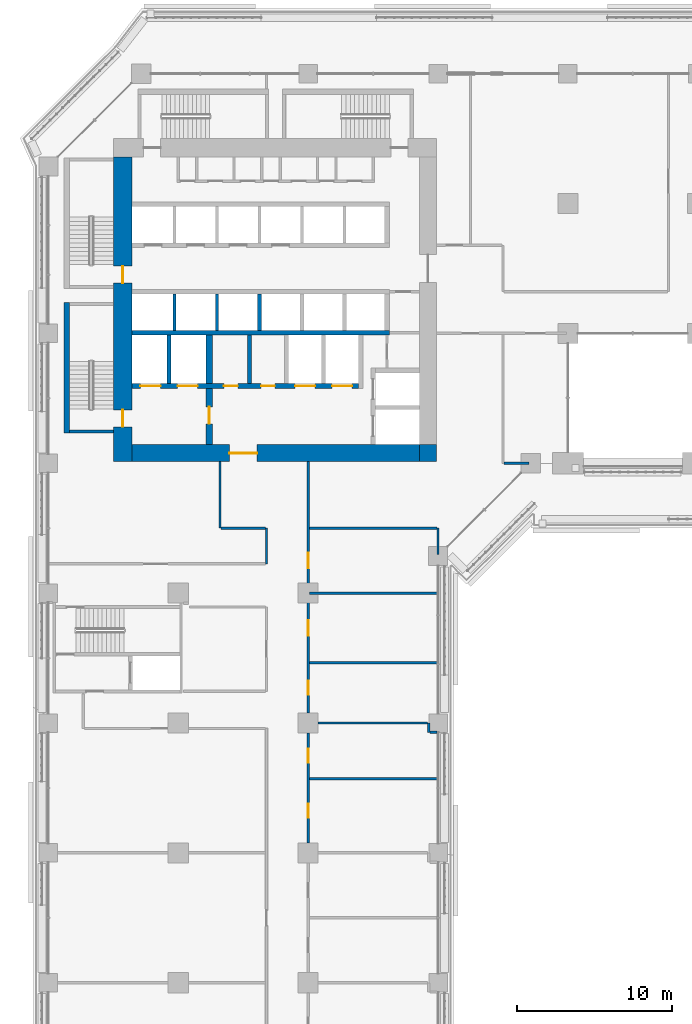
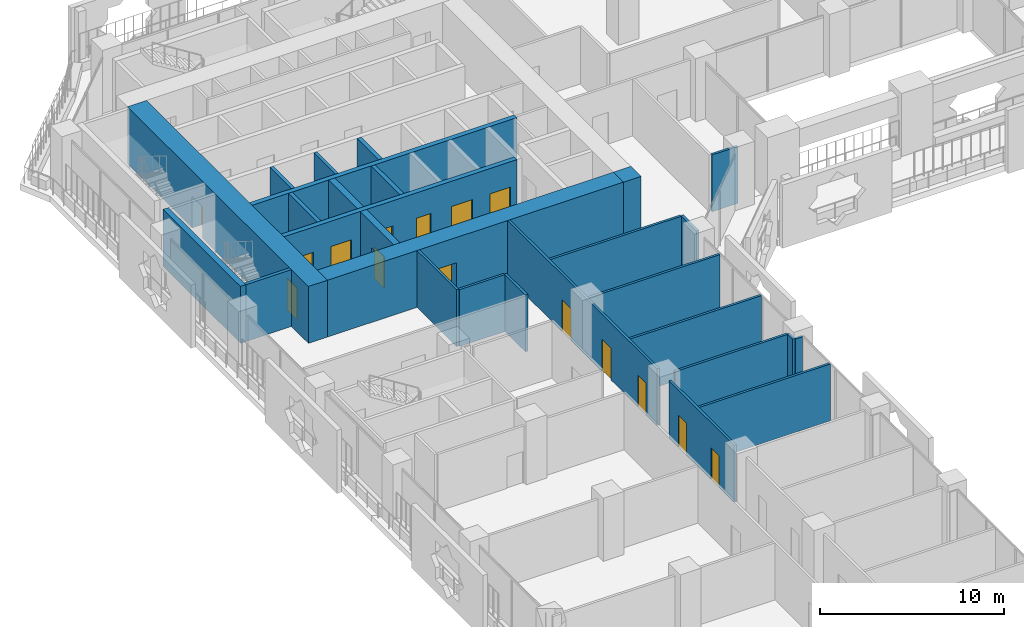
# One storey, part 14 of 28: 28 walls, 15 doors, 15 openings.
"""IFC4 building model written with IfcOpenShell, lengths in metres."""

from ifc_helpers import new_model, si_unit, direction, frame, frame_2d, origin, place, context, subcontext, project, spatial, rectangle, extrude, material, layer, layer_set, type_object, element, fill, save


model = new_model("IFC4")

# Units and contexts
model_context = context("Model", 3, precision=1e-05, world=origin(), true_north=direction((0.0, 1.0)))
body_context = subcontext(model_context, "Body", "Model", "MODEL_VIEW")
ifc_project = project(units=[si_unit("LENGTHUNIT", "METRE"), si_unit("AREAUNIT", "SQUARE_METRE"), si_unit("VOLUMEUNIT", "CUBIC_METRE"), si_unit("PLANEANGLEUNIT", "RADIAN"), si_unit("MASSUNIT", "GRAM", prefix="KILO")], contexts=[model_context])

# Site, building, storey
site_placement = place(None, origin())
site = spatial("IfcSite", under=ifc_project, at=site_placement, CompositionType="ELEMENT")
building_placement = place(site_placement, origin())
building = spatial("IfcBuilding", under=site, at=building_placement, Name="Kawkab Arch Medical Tower", CompositionType="ELEMENT")
storey_placement = place(building_placement, frame((0.0, 0.0, 47.60009765625)))
storey = spatial("IfcBuildingStorey", under=building, at=storey_placement, Name="L10", CompositionType="ELEMENT", Elevation=47.60009765625)

# Wall, opening, door
ifc_material_1 = material(Name="Concrete C60/75", Category="concrete")
ifc_layer_1 = layer(ifc_material_1, 1.10009765625)
ifc_layer_set_1 = layer_set([ifc_layer_1], Name="Concrete C60/75")
wall_type_1 = type_object("IfcWallType", Name="Core ring wall 1100 C60/75", PredefinedType="SHEAR", material=ifc_layer_set_1)
wall_1_placement = place(storey_placement, frame((5.39990234375, -24.550048828125, 0.0), z_axis=(0.0, 0.0, 1.0), x_axis=(1.0, 0.0, 0.0)))
wall_1 = element("IfcWall", 1, at=wall_1_placement, inside=storey, type_object=wall_type_1, Name="L10 core wall", PredefinedType="SHEAR", context=body_context, shape_type="SweptSolid", body=[
    extrude(rectangle(XDim=18.60009765625, YDim=1.10009765625, at=frame_2d((9.300048828125, 0.0))), origin(), (0.0, 0.0, 1.0), 3.77978515625),
])
opening_1_placement = place(wall_1_placement, frame((6.300048828125, 0.0, 0.0)))
opening_1 = element("IfcOpeningElement", 2, at=opening_1_placement, cuts=wall_1, Name="Opening PD", PredefinedType="OPENING", context=body_context, shape_type="SweptSolid", body=[
    extrude(rectangle(XDim=1.800048828125, YDim=2.10009765625, at=frame_2d((0.89990234375, 1.050048828125))), frame((0.0, 0.56005859375, 0.0), z_axis=(0.0, -1.0, 0.0), x_axis=(1.0, 0.0, 0.0)), (0.0, 0.0, 1.0), 1.1201171875),
])
ifc_material_2 = material(Name="Hollow metal fire door leaf")
door_type_1 = type_object("IfcDoorType", Name="Core entrance doors 1800", OperationType="DOUBLE_DOOR_SINGLE_SWING", PredefinedType="DOOR", material=ifc_material_2)
door_1_placement = place(opening_1_placement, origin())
door_1 = element("IfcDoor", 3, at=door_1_placement, inside=storey, type_object=door_type_1, Name="L10 South entrance doors", OperationType="DOUBLE_DOOR_SINGLE_SWING", OverallHeight=2.10009765625, OverallWidth=1.800048828125, PredefinedType="DOOR", context=body_context, shape_type="SweptSolid", body=[
    extrude(rectangle(XDim=1.800048828125, YDim=2.10009765625, at=frame_2d((0.89990234375, 1.050048828125))), frame((0.0, 0.02490234375, 0.0), z_axis=(0.0, -1.0, 0.0), x_axis=(1.0, 0.0, 0.0)), (0.0, 0.0, 1.0), 0.050048828125),
])
fill(opening_1, door_1)

# Wall
wall_2_placement = place(storey_placement, frame((24.550048828125, -25.10009765625, 0.0), z_axis=(0.0, 0.0, 1.0), x_axis=(0.0, 1.0, 0.0)))
element("IfcWall", 4, at=wall_2_placement, inside=storey, type_object=wall_type_1, Name="L10 core wall", PredefinedType="SHEAR", context=body_context, shape_type="SweptSolid", body=[
    extrude(rectangle(XDim=1.10009765625, YDim=1.10009765625, at=frame_2d((0.550048828125, 0.0))), origin(), (0.0, 0.0, 1.0), 3.77978515625),
])

# Wall, openings, doors
ifc_material_3 = material(Name="Concrete C60/75", Category="concrete")
ifc_layer_2 = layer(ifc_material_3, 1.199951171875)
ifc_layer_set_2 = layer_set([ifc_layer_2], Name="Concrete C60/75")
wall_type_2 = type_object("IfcWallType", Name="Core ring wall 1200 C60/75", PredefinedType="SHEAR", material=ifc_layer_set_2)
wall_3_placement = place(storey_placement, frame((4.800048828125, -25.10009765625, 0.0), z_axis=(0.0, 0.0, 1.0), x_axis=(0.0, 1.0, 0.0)))
wall_3 = element("IfcWall", 5, at=wall_3_placement, inside=storey, type_object=wall_type_2, Name="L10 core wall", PredefinedType="SHEAR", context=body_context, shape_type="SweptSolid", body=[
    extrude(rectangle(XDim=19.7001953125, YDim=1.199951171875, at=frame_2d((9.85009765625, 0.0))), origin(), (0.0, 0.0, 1.0), 3.77978515625),
])
opening_2_placement = place(wall_3_placement, frame((11.550048828125, 0.0, 0.0)))
opening_2 = element("IfcOpeningElement", 6, at=opening_2_placement, cuts=wall_3, Name="Opening SD", PredefinedType="OPENING", context=body_context, shape_type="SweptSolid", body=[
    extrude(rectangle(XDim=1.10009765625, YDim=2.10009765625, at=frame_2d((0.550048828125, 1.050048828125))), frame((0.0, 0.60986328125, 0.0), z_axis=(0.0, -1.0, 0.0), x_axis=(1.0, 0.0, 0.0)), (0.0, 0.0, 1.0), 1.219970703125),
])
opening_3_placement = place(wall_3_placement, frame((2.25, 0.0, 0.0)))
opening_3 = element("IfcOpeningElement", 7, at=opening_3_placement, cuts=wall_3, Name="Opening SD", PredefinedType="OPENING", context=body_context, shape_type="SweptSolid", body=[
    extrude(rectangle(XDim=1.10009765625, YDim=2.10009765625, at=frame_2d((0.550048828125, 1.050048828125))), frame((0.0, 0.60986328125, 0.0), z_axis=(0.0, -1.0, 0.0), x_axis=(1.0, 0.0, 0.0)), (0.0, 0.0, 1.0), 1.219970703125),
])
ifc_material_4 = material(Name="Hollow metal fire door leaf")
door_type_2 = type_object("IfcDoorType", Name="Exit stair door 1100", OperationType="SINGLE_SWING_LEFT", PredefinedType="DOOR", material=ifc_material_4)
door_2_placement = place(opening_2_placement, origin())
door_2 = element("IfcDoor", 8, at=door_2_placement, inside=storey, type_object=door_type_2, Name="L10 Exit stair ST1 door", OperationType="SINGLE_SWING_LEFT", OverallHeight=2.10009765625, OverallWidth=1.10009765625, PredefinedType="DOOR", context=body_context, shape_type="SweptSolid", body=[
    extrude(rectangle(XDim=1.10009765625, YDim=2.10009765625, at=frame_2d((0.550048828125, 1.050048828125))), frame((0.0, 0.02490234375, 0.0), z_axis=(0.0, -1.0, 0.0), x_axis=(1.0, 0.0, 0.0)), (0.0, 0.0, 1.0), 0.050048828125),
])
fill(opening_2, door_2)
door_3_placement = place(opening_3_placement, origin())
door_3 = element("IfcDoor", 9, at=door_3_placement, inside=storey, type_object=door_type_2, Name="L10 Exit stair ST2 door", OperationType="SINGLE_SWING_LEFT", OverallHeight=2.10009765625, OverallWidth=1.10009765625, PredefinedType="DOOR", context=body_context, shape_type="SweptSolid", body=[
    extrude(rectangle(XDim=1.10009765625, YDim=2.10009765625, at=frame_2d((0.550048828125, 1.050048828125))), frame((0.0, 0.02490234375, 0.0), z_axis=(0.0, -1.0, 0.0), x_axis=(1.0, 0.0, 0.0)), (0.0, 0.0, 1.0), 0.050048828125),
])
fill(opening_3, door_3)

# Walls
ifc_material_5 = material(Name="Concrete C60/75", Category="concrete")
ifc_layer_3 = layer(ifc_material_5, 0.25)
ifc_layer_set_3 = layer_set([ifc_layer_3], Name="Concrete C60/75")
wall_type_3 = type_object("IfcWallType", Name="Core shear wall 250 C60/75", PredefinedType="SHEAR", material=ifc_layer_set_3)
for number, where, z_axis, x_axis, name in (
    (10, (7.800048828125, -20.050048828125, 0.0), (0.0, 0.0, 1.0), (0.0, 1.0, 0.0), "L10 core shear wall"),
    (11, (13.0, -20.050048828125, 0.0), (0.0, 0.0, 1.0), (0.0, 1.0, 0.0), "L10 core shear wall"),
):
    element("IfcWall", number, at=place(storey_placement, frame(where, z_axis=z_axis, x_axis=x_axis)), inside=storey, type_object=wall_type_3, Name=name, PredefinedType="SHEAR", context=body_context, shape_type="SweptSolid", body=[
        extrude(rectangle(XDim=3.150146484375, YDim=0.25, at=frame_2d((1.5751953125, 0.0))), origin(), (0.0, 0.0, 1.0), 3.77978515625),
    ])
wall_4_placement = place(storey_placement, frame((13.64990234375, -16.60009765625, 0.0), z_axis=(0.0, 0.0, 1.0), x_axis=(0.0, 1.0, 0.0)))
element("IfcWall", 12, at=wall_4_placement, inside=storey, type_object=wall_type_3, Name="L10 core shear wall", PredefinedType="SHEAR", context=body_context, shape_type="SweptSolid", body=[
    extrude(rectangle(XDim=2.35009765625, YDim=0.25, at=frame_2d((1.175048828125, 0.0))), origin(), (0.0, 0.0, 1.0), 3.77978515625),
])
ifc_material_6 = material(Name="Concrete C60/75", Category="concrete")
ifc_layer_4 = layer(ifc_material_6, 0.300048828125)
ifc_layer_set_4 = layer_set([ifc_layer_4], Name="Concrete C60/75")
wall_type_4 = type_object("IfcWallType", Name="Core shear wall 300 C60/75", PredefinedType="SHEAR", material=ifc_layer_set_4)
wall_5_placement = place(storey_placement, frame((5.39990234375, -16.75, 0.0), z_axis=(0.0, 0.0, 1.0), x_axis=(1.0, 0.0, 0.0)))
element("IfcWall", 13, at=wall_5_placement, inside=storey, type_object=wall_type_4, Name="L10 core shear wall", PredefinedType="SHEAR", context=body_context, shape_type="SweptSolid", body=[
    extrude(rectangle(XDim=16.650146484375, YDim=0.300048828125, at=frame_2d((8.3251953125, 0.0))), origin(), (0.0, 0.0, 1.0), 3.77978515625),
])

# Wall, openings, doors
wall_6_placement = place(storey_placement, frame((5.39990234375, -20.199951171875, 0.0), z_axis=(0.0, 0.0, 1.0), x_axis=(1.0, 0.0, 0.0)))
wall_6 = element("IfcWall", 14, at=wall_6_placement, inside=storey, type_object=wall_type_4, Name="L10 core shear wall", PredefinedType="SHEAR", context=body_context, shape_type="SweptSolid", body=[
    extrude(rectangle(XDim=14.650146484375, YDim=0.300048828125, at=frame_2d((7.3251953125, 0.0))), origin(), (0.0, 0.0, 1.0), 3.77978515625),
])
opening_4_placement = place(wall_6_placement, frame((10.550048828125, 0.0, 0.0)))
opening_4 = element("IfcOpeningElement", 15, at=opening_4_placement, cuts=wall_6, Name="Opening LD2", PredefinedType="OPENING", context=body_context, shape_type="SweptSolid", body=[
    extrude(rectangle(XDim=1.300048828125, YDim=2.10009765625, at=frame_2d((0.64990234375, 1.050048828125))), frame((0.0, 0.159912109375, 0.0), z_axis=(0.0, -1.0, 0.0), x_axis=(1.0, 0.0, 0.0)), (0.0, 0.0, 1.0), 0.320068359375),
])
opening_5_placement = place(wall_6_placement, frame((12.949951171875, 0.0, 0.0)))
opening_5 = element("IfcOpeningElement", 16, at=opening_5_placement, cuts=wall_6, Name="Opening LD2", PredefinedType="OPENING", context=body_context, shape_type="SweptSolid", body=[
    extrude(rectangle(XDim=1.300048828125, YDim=2.10009765625, at=frame_2d((0.64990234375, 1.050048828125))), frame((0.0, 0.159912109375, 0.0), z_axis=(0.0, -1.0, 0.0), x_axis=(1.0, 0.0, 0.0)), (0.0, 0.0, 1.0), 0.320068359375),
])
opening_6_placement = place(wall_6_placement, frame((0.550048828125, 0.0, 0.0)))
opening_6 = element("IfcOpeningElement", 17, at=opening_6_placement, cuts=wall_6, Name="Opening LD2", PredefinedType="OPENING", context=body_context, shape_type="SweptSolid", body=[
    extrude(rectangle(XDim=1.300048828125, YDim=2.10009765625, at=frame_2d((0.64990234375, 1.050048828125))), frame((0.0, 0.159912109375, 0.0), z_axis=(0.0, -1.0, 0.0), x_axis=(1.0, 0.0, 0.0)), (0.0, 0.0, 1.0), 0.320068359375),
])
opening_7_placement = place(wall_6_placement, frame((2.949951171875, 0.0, 0.0)))
opening_7 = element("IfcOpeningElement", 18, at=opening_7_placement, cuts=wall_6, Name="Opening LD2", PredefinedType="OPENING", context=body_context, shape_type="SweptSolid", body=[
    extrude(rectangle(XDim=1.300048828125, YDim=2.10009765625, at=frame_2d((0.64990234375, 1.050048828125))), frame((0.0, 0.159912109375, 0.0), z_axis=(0.0, -1.0, 0.0), x_axis=(1.0, 0.0, 0.0)), (0.0, 0.0, 1.0), 0.320068359375),
])
opening_8_placement = place(wall_6_placement, frame((5.949951171875, 0.0, 0.0)))
opening_8 = element("IfcOpeningElement", 19, at=opening_8_placement, cuts=wall_6, Name="Opening RD", PredefinedType="OPENING", context=body_context, shape_type="SweptSolid", body=[
    extrude(rectangle(XDim=0.89990234375, YDim=2.10009765625, at=frame_2d((0.449951171875, 1.050048828125))), frame((0.0, 0.159912109375, 0.0), z_axis=(0.0, -1.0, 0.0), x_axis=(1.0, 0.0, 0.0)), (0.0, 0.0, 1.0), 0.320068359375),
])
opening_9_placement = place(wall_6_placement, frame((8.35009765625, 0.0, 0.0)))
opening_9 = element("IfcOpeningElement", 20, at=opening_9_placement, cuts=wall_6, Name="Opening RD", PredefinedType="OPENING", context=body_context, shape_type="SweptSolid", body=[
    extrude(rectangle(XDim=0.89990234375, YDim=2.10009765625, at=frame_2d((0.449951171875, 1.050048828125))), frame((0.0, 0.159912109375, 0.0), z_axis=(0.0, -1.0, 0.0), x_axis=(1.0, 0.0, 0.0)), (0.0, 0.0, 1.0), 0.320068359375),
])
ifc_material_7 = material(Name="Hollow metal fire door leaf")
door_type_3 = type_object("IfcDoorType", Name="Core room door 900", OperationType="SINGLE_SWING_LEFT", PredefinedType="DOOR", material=ifc_material_7)
door_4_placement = place(opening_8_placement, origin())
door_4 = element("IfcDoor", 21, at=door_4_placement, inside=storey, type_object=door_type_3, Name="L10 Clean utility room door", OperationType="SINGLE_SWING_LEFT", OverallHeight=2.10009765625, OverallWidth=0.89990234375, PredefinedType="DOOR", context=body_context, shape_type="SweptSolid", body=[
    extrude(rectangle(XDim=0.89990234375, YDim=2.10009765625, at=frame_2d((0.449951171875, 1.050048828125))), frame((0.0, 0.02490234375, 0.0), z_axis=(0.0, -1.0, 0.0), x_axis=(1.0, 0.0, 0.0)), (0.0, 0.0, 1.0), 0.050048828125),
])
fill(opening_8, door_4)
door_5_placement = place(opening_9_placement, origin())
door_5 = element("IfcDoor", 22, at=door_5_placement, inside=storey, type_object=door_type_3, Name="L10 Dirty utility room door", OperationType="SINGLE_SWING_LEFT", OverallHeight=2.10009765625, OverallWidth=0.89990234375, PredefinedType="DOOR", context=body_context, shape_type="SweptSolid", body=[
    extrude(rectangle(XDim=0.89990234375, YDim=2.10009765625, at=frame_2d((0.449951171875, 1.050048828125))), frame((0.0, 0.02490234375, 0.0), z_axis=(0.0, -1.0, 0.0), x_axis=(1.0, 0.0, 0.0)), (0.0, 0.0, 1.0), 0.050048828125),
])
fill(opening_9, door_5)
ifc_material_8 = material(Name="Stainless steel lift door leaf", Category="steel")
door_type_4 = type_object("IfcDoorType", Name="Lift landing door 1300", OperationType="DOUBLE_DOOR_SLIDING", PredefinedType="DOOR", material=ifc_material_8)
door_6_placement = place(opening_4_placement, origin())
door_6 = element("IfcDoor", 23, at=door_6_placement, inside=storey, type_object=door_type_4, Name="L10 Lift landing door BD3", OperationType="DOUBLE_DOOR_SLIDING", OverallHeight=2.10009765625, OverallWidth=1.300048828125, PredefinedType="DOOR", context=body_context, shape_type="SweptSolid", body=[
    extrude(rectangle(XDim=1.300048828125, YDim=2.10009765625, at=frame_2d((0.64990234375, 1.050048828125))), frame((0.0, 0.02490234375, 0.0), z_axis=(0.0, -1.0, 0.0), x_axis=(1.0, 0.0, 0.0)), (0.0, 0.0, 1.0), 0.050048828125),
])
fill(opening_4, door_6)
door_7_placement = place(opening_5_placement, origin())
door_7 = element("IfcDoor", 24, at=door_7_placement, inside=storey, type_object=door_type_4, Name="L10 Lift landing door BD4", OperationType="DOUBLE_DOOR_SLIDING", OverallHeight=2.10009765625, OverallWidth=1.300048828125, PredefinedType="DOOR", context=body_context, shape_type="SweptSolid", body=[
    extrude(rectangle(XDim=1.300048828125, YDim=2.10009765625, at=frame_2d((0.64990234375, 1.050048828125))), frame((0.0, 0.02490234375, 0.0), z_axis=(0.0, -1.0, 0.0), x_axis=(1.0, 0.0, 0.0)), (0.0, 0.0, 1.0), 0.050048828125),
])
fill(opening_5, door_7)
door_8_placement = place(opening_6_placement, origin())
door_8 = element("IfcDoor", 25, at=door_8_placement, inside=storey, type_object=door_type_4, Name="L10 Lift landing door FL1", OperationType="DOUBLE_DOOR_SLIDING", OverallHeight=2.10009765625, OverallWidth=1.300048828125, PredefinedType="DOOR", context=body_context, shape_type="SweptSolid", body=[
    extrude(rectangle(XDim=1.300048828125, YDim=2.10009765625, at=frame_2d((0.64990234375, 1.050048828125))), frame((0.0, 0.02490234375, 0.0), z_axis=(0.0, -1.0, 0.0), x_axis=(1.0, 0.0, 0.0)), (0.0, 0.0, 1.0), 0.050048828125),
])
fill(opening_6, door_8)
door_9_placement = place(opening_7_placement, origin())
door_9 = element("IfcDoor", 26, at=door_9_placement, inside=storey, type_object=door_type_4, Name="L10 Lift landing door FL2", OperationType="DOUBLE_DOOR_SLIDING", OverallHeight=2.10009765625, OverallWidth=1.300048828125, PredefinedType="DOOR", context=body_context, shape_type="SweptSolid", body=[
    extrude(rectangle(XDim=1.300048828125, YDim=2.10009765625, at=frame_2d((0.64990234375, 1.050048828125))), frame((0.0, 0.02490234375, 0.0), z_axis=(0.0, -1.0, 0.0), x_axis=(1.0, 0.0, 0.0)), (0.0, 0.0, 1.0), 0.050048828125),
])
fill(opening_7, door_9)

# Wall, opening, door
ifc_material_9 = material(Name="Concrete C60/75", Category="concrete")
ifc_layer_5 = layer(ifc_material_9, 0.39990234375)
ifc_layer_set_5 = layer_set([ifc_layer_5], Name="Concrete C60/75")
wall_type_5 = type_object("IfcWallType", Name="Core shear wall 400 C60/75", PredefinedType="SHEAR", material=ifc_layer_set_5)
wall_7_placement = place(storey_placement, frame((10.39990234375, -24.0, 0.0), z_axis=(0.0, 0.0, 1.0), x_axis=(0.0, 1.0, 0.0)))
wall_7 = element("IfcWall", 27, at=wall_7_placement, inside=storey, type_object=wall_type_5, Name="L10 core shear wall", PredefinedType="SHEAR", context=body_context, shape_type="SweptSolid", body=[
    extrude(rectangle(XDim=3.64990234375, YDim=0.39990234375, at=frame_2d((1.824951171875, 0.0))), origin(), (0.0, 0.0, 1.0), 3.77978515625),
])
opening_10_placement = place(wall_7_placement, frame((1.35009765625, 0.0, 0.0)))
opening_10 = element("IfcOpeningElement", 28, at=opening_10_placement, cuts=wall_7, Name="Opening FD", PredefinedType="OPENING", context=body_context, shape_type="SweptSolid", body=[
    extrude(rectangle(XDim=1.10009765625, YDim=2.10009765625, at=frame_2d((0.550048828125, 1.050048828125))), frame((0.0, 0.2099609375, 0.0), z_axis=(0.0, -1.0, 0.0), x_axis=(1.0, 0.0, 0.0)), (0.0, 0.0, 1.0), 0.419921875),
])
ifc_material_10 = material(Name="Hollow metal fire door leaf")
door_type_5 = type_object("IfcDoorType", Name="Firefighting lobby door 1100", OperationType="SINGLE_SWING_LEFT", PredefinedType="DOOR", material=ifc_material_10)
door_10_placement = place(opening_10_placement, origin())
door_10 = element("IfcDoor", 29, at=door_10_placement, inside=storey, type_object=door_type_5, Name="L10 Firefighting lobby door", OperationType="SINGLE_SWING_LEFT", OverallHeight=2.10009765625, OverallWidth=1.10009765625, PredefinedType="DOOR", context=body_context, shape_type="SweptSolid", body=[
    extrude(rectangle(XDim=1.10009765625, YDim=2.10009765625, at=frame_2d((0.550048828125, 1.050048828125))), frame((0.0, 0.02490234375, 0.0), z_axis=(0.0, -1.0, 0.0), x_axis=(1.0, 0.0, 0.0)), (0.0, 0.0, 1.0), 0.050048828125),
])
fill(opening_10, door_10)

# Walls
wall_8_placement = place(storey_placement, frame((10.39990234375, -20.050048828125, 0.0), z_axis=(0.0, 0.0, 1.0), x_axis=(0.0, 1.0, 0.0)))
element("IfcWall", 30, at=wall_8_placement, inside=storey, type_object=wall_type_5, Name="L10 core shear wall", PredefinedType="SHEAR", context=body_context, shape_type="SweptSolid", body=[
    extrude(rectangle(XDim=3.150146484375, YDim=0.39990234375, at=frame_2d((1.5751953125, 0.0))), origin(), (0.0, 0.0, 1.0), 3.77978515625),
])
ifc_material_11 = material(Name="Dense concrete blockwork", Category="masonry")
ifc_layer_6 = layer(ifc_material_11, 0.199951171875)
ifc_layer_set_6 = layer_set([ifc_layer_6], Name="Dense concrete blockwork")
wall_type_6 = type_object("IfcWallType", Name="Lift shaft partition 200", PredefinedType="PARTITIONING", material=ifc_layer_set_6)
for number, where, z_axis, x_axis, name in (
    (31, (8.14990234375, -16.60009765625, 0.0), (0.0, 0.0, 1.0), (0.0, 1.0, 0.0), "L10 lift shaft partition"),
    (32, (10.89990234375, -16.60009765625, 0.0), (0.0, 0.0, 1.0), (0.0, 1.0, 0.0), "L10 lift shaft partition"),
):
    element("IfcWall", number, at=place(storey_placement, frame(where, z_axis=z_axis, x_axis=x_axis)), inside=storey, type_object=wall_type_6, Name=name, PredefinedType="PARTITIONING", context=body_context, shape_type="SweptSolid", body=[
        extrude(rectangle(XDim=2.35009765625, YDim=0.199951171875, at=frame_2d((1.175048828125, 0.0))), origin(), (0.0, 0.0, 1.0), 3.77978515625),
    ])
ifc_material_12 = material(Name="Gypsum board partition on steel studs, mineral wool", Category="steel")
ifc_layer_7 = layer(ifc_material_12, 0.14990234375)
ifc_layer_set_7 = layer_set([ifc_layer_7], Name="Gypsum board partition on steel studs, mineral wool")
wall_type_7 = type_object("IfcWallType", Name="Partition 150", PredefinedType="PARTITIONING", material=ifc_layer_set_7)
wall_9_placement = place(storey_placement, frame((16.875, -45.60009765625, 0.0), z_axis=(0.0, 0.0, 1.0), x_axis=(1.0, 0.0, 0.0)))
element("IfcWall", 33, at=wall_9_placement, inside=storey, type_object=wall_type_7, Name="Partition 150 w011", PredefinedType="PARTITIONING", context=body_context, shape_type="SweptSolid", body=[
    extrude(rectangle(XDim=8.2451171875, YDim=0.14990234375, at=frame_2d((4.12255859375, 0.0))), origin(), (0.0, 0.0, 1.0), 3.77978515625),
])
wall_10_placement = place(storey_placement, frame((24.675048828125, -42.60009765625, 0.0), z_axis=(0.0, 0.0, 1.0), x_axis=(1.0, 0.0, 0.0)))
element("IfcWall", 34, at=wall_10_placement, inside=storey, type_object=wall_type_7, Name="Partition 150 w012", PredefinedType="PARTITIONING", context=body_context, shape_type="SweptSolid", body=[
    extrude(rectangle(XDim=0.445068359375, YDim=0.14990234375, at=frame_2d((0.22265625, 0.0))), origin(), (0.0, 0.0, 1.0), 3.77978515625),
])
wall_11_placement = place(storey_placement, frame((17.451904296875, -42.0, 0.0), z_axis=(0.0, 0.0, 1.0), x_axis=(1.0, 0.0, 0.0)))
element("IfcWall", 35, at=wall_11_placement, inside=storey, type_object=wall_type_7, Name="Partition 150 w014", PredefinedType="PARTITIONING", context=body_context, shape_type="SweptSolid", body=[
    extrude(rectangle(XDim=7.071044921875, YDim=0.14990234375, at=frame_2d((3.53564453125, 0.0))), origin(), (0.0, 0.0, 1.0), 3.77978515625),
])
for number, where, z_axis, x_axis, name in (
    (36, (16.875, -38.10009765625, 0.0), (0.0, 0.0, 1.0), (1.0, 0.0, 0.0), "Partition 150 w016"),
    (37, (16.875, -33.60009765625, 0.0), (0.0, 0.0, 1.0), (1.0, 0.0, 0.0), "Partition 150 w020"),
):
    element("IfcWall", number, at=place(storey_placement, frame(where, z_axis=z_axis, x_axis=x_axis)), inside=storey, type_object=wall_type_7, Name=name, PredefinedType="PARTITIONING", context=body_context, shape_type="SweptSolid", body=[
        extrude(rectangle(XDim=8.2451171875, YDim=0.14990234375, at=frame_2d((4.12255859375, 0.0))), origin(), (0.0, 0.0, 1.0), 3.77978515625),
    ])
wall_12_placement = place(storey_placement, frame((11.177001953125, -29.39990234375, 0.0), z_axis=(0.0, 0.0, 1.0), x_axis=(1.0, 0.0, 0.0)))
element("IfcWall", 38, at=wall_12_placement, inside=storey, type_object=wall_type_7, Name="Partition 150 w022", PredefinedType="PARTITIONING", context=body_context, shape_type="SweptSolid", body=[
    extrude(rectangle(XDim=2.847900390625, YDim=0.14990234375, at=frame_2d((1.423828125, 0.0))), origin(), (0.0, 0.0, 1.0), 3.77978515625),
])
wall_13_placement = place(storey_placement, frame((16.875, -29.39990234375, 0.0), z_axis=(0.0, 0.0, 1.0), x_axis=(1.0, 0.0, 0.0)))
element("IfcWall", 39, at=wall_13_placement, inside=storey, type_object=wall_type_7, Name="Partition 150 w023", PredefinedType="PARTITIONING", context=body_context, shape_type="SweptSolid", body=[
    extrude(rectangle(XDim=8.25, YDim=0.14990234375, at=frame_2d((4.125, 0.0))), origin(), (0.0, 0.0, 1.0), 3.77978515625),
])
wall_14_placement = place(storey_placement, frame((29.47509765625, -25.199951171875, 0.0), z_axis=(0.0, 0.0, 1.0), x_axis=(1.0, 0.0, 0.0)))
element("IfcWall", 40, at=wall_14_placement, inside=storey, type_object=wall_type_7, Name="Partition 150 w024", PredefinedType="PARTITIONING", context=body_context, shape_type="SweptSolid", body=[
    extrude(rectangle(XDim=1.61181640625, YDim=0.14990234375, at=frame_2d((0.805908203125, 0.0))), origin(), (0.0, 0.0, 1.0), 3.77978515625),
])
wall_15_placement = place(storey_placement, frame((11.10009765625, -29.39892578125, 0.0), z_axis=(0.0, 0.0, 1.0), x_axis=(0.0, 1.0, 0.0)))
element("IfcWall", 41, at=wall_15_placement, inside=storey, type_object=wall_type_7, Name="Partition 150 w034", PredefinedType="PARTITIONING", context=body_context, shape_type="SweptSolid", body=[
    extrude(rectangle(XDim=4.298828125, YDim=0.14990234375, at=frame_2d((2.1494140625, 0.0))), origin(), (0.0, 0.0, 1.0), 3.77978515625),
])
wall_16_placement = place(storey_placement, frame((14.10009765625, -31.70703125, 0.0), z_axis=(0.0, 0.0, 1.0), x_axis=(0.0, 1.0, 0.0)))
element("IfcWall", 42, at=wall_16_placement, inside=storey, type_object=wall_type_7, Name="Partition 150 w037", PredefinedType="PARTITIONING", context=body_context, shape_type="SweptSolid", body=[
    extrude(rectangle(XDim=2.30712890625, YDim=0.14990234375, at=frame_2d((1.153564453125, 0.0))), origin(), (0.0, 0.0, 1.0), 3.77978515625),
])

# Wall, openings, doors
wall_17_placement = place(storey_placement, frame((16.800048828125, -49.75, 0.0), z_axis=(0.0, 0.0, 1.0), x_axis=(0.0, 1.0, 0.0)))
wall_17 = element("IfcWall", 43, at=wall_17_placement, inside=storey, type_object=wall_type_7, Name="Partition 150 w042", PredefinedType="PARTITIONING", context=body_context, shape_type="SweptSolid", body=[
    extrude(rectangle(XDim=7.10009765625, YDim=0.14990234375, at=frame_2d((3.550048828125, 0.0))), origin(), (0.0, 0.0, 1.0), 3.77978515625),
])
opening_11_placement = place(wall_17_placement, frame((5.175048828125, 0.0, 0.0)))
opening_11 = element("IfcOpeningElement", 44, at=opening_11_placement, cuts=wall_17, Name="Opening B10-004", PredefinedType="OPENING", context=body_context, shape_type="SweptSolid", body=[
    extrude(rectangle(XDim=0.89990234375, YDim=2.10009765625, at=frame_2d((0.449951171875, 1.050048828125))), frame((0.0, 0.0849609375, 0.0), z_axis=(0.0, -1.0, 0.0), x_axis=(1.0, 0.0, 0.0)), (0.0, 0.0, 1.0), 0.169921875),
])
opening_12_placement = place(wall_17_placement, frame((1.625, 0.0, 0.0)))
opening_12 = element("IfcOpeningElement", 45, at=opening_12_placement, cuts=wall_17, Name="Opening B10-005", PredefinedType="OPENING", context=body_context, shape_type="SweptSolid", body=[
    extrude(rectangle(XDim=0.89990234375, YDim=2.10009765625, at=frame_2d((0.449951171875, 1.050048828125))), frame((0.0, 0.0849609375, 0.0), z_axis=(0.0, -1.0, 0.0), x_axis=(1.0, 0.0, 0.0)), (0.0, 0.0, 1.0), 0.169921875),
])
ifc_material_13 = material(Name="Timber door leaf", Category="wood")
door_type_6 = type_object("IfcDoorType", Name="Single door 900x2100", OperationType="NOTDEFINED", PredefinedType="DOOR", material=ifc_material_13)
door_11_placement = place(opening_11_placement, origin())
door_11 = element("IfcDoor", 46, at=door_11_placement, inside=storey, type_object=door_type_6, Name="Door B10-004", OperationType="SINGLE_SWING_LEFT", OverallHeight=2.10009765625, OverallWidth=0.89990234375, PredefinedType="DOOR", context=body_context, shape_type="SweptSolid", body=[
    extrude(rectangle(XDim=0.89990234375, YDim=2.10009765625, at=frame_2d((0.449951171875, 1.050048828125))), frame((0.0, 0.02490234375, 0.0), z_axis=(0.0, -1.0, 0.0), x_axis=(1.0, 0.0, 0.0)), (0.0, 0.0, 1.0), 0.050048828125),
])
fill(opening_11, door_11)
door_12_placement = place(opening_12_placement, origin())
door_12 = element("IfcDoor", 47, at=door_12_placement, inside=storey, type_object=door_type_6, Name="Door B10-005", OperationType="SINGLE_SWING_RIGHT", OverallHeight=2.10009765625, OverallWidth=0.89990234375, PredefinedType="DOOR", context=body_context, shape_type="SweptSolid", body=[
    extrude(rectangle(XDim=0.89990234375, YDim=2.10009765625, at=frame_2d((0.449951171875, 1.050048828125))), frame((0.0, 0.02490234375, 0.0), z_axis=(0.0, -1.0, 0.0), x_axis=(1.0, 0.0, 0.0)), (0.0, 0.0, 1.0), 0.050048828125),
])
fill(opening_12, door_12)

wall_18_placement = place(storey_placement, frame((16.800048828125, -41.35009765625, 0.0), z_axis=(0.0, 0.0, 1.0), x_axis=(0.0, 1.0, 0.0)))
wall_18 = element("IfcWall", 48, at=wall_18_placement, inside=storey, type_object=wall_type_7, Name="Partition 150 w043", PredefinedType="PARTITIONING", context=body_context, shape_type="SweptSolid", body=[
    extrude(rectangle(XDim=16.25, YDim=0.14990234375, at=frame_2d((8.125, 0.0))), origin(), (0.0, 0.0, 1.0), 3.77978515625),
])
opening_13_placement = place(wall_18_placement, frame((9.35009765625, 0.0, 0.0)))
opening_13 = element("IfcOpeningElement", 49, at=opening_13_placement, cuts=wall_18, Name="Opening B10-026", PredefinedType="OPENING", context=body_context, shape_type="SweptSolid", body=[
    extrude(rectangle(XDim=1.0, YDim=2.10009765625, at=frame_2d((0.5, 1.050048828125))), frame((0.0, 0.0849609375, 0.0), z_axis=(0.0, -1.0, 0.0), x_axis=(1.0, 0.0, 0.0)), (0.0, 0.0, 1.0), 0.169921875),
])
opening_14_placement = place(wall_18_placement, frame((5.0, 0.0, 0.0)))
opening_14 = element("IfcOpeningElement", 50, at=opening_14_placement, cuts=wall_18, Name="Opening B10-027", PredefinedType="OPENING", context=body_context, shape_type="SweptSolid", body=[
    extrude(rectangle(XDim=1.0, YDim=2.10009765625, at=frame_2d((0.5, 1.050048828125))), frame((0.0, 0.0849609375, 0.0), z_axis=(0.0, -1.0, 0.0), x_axis=(1.0, 0.0, 0.0)), (0.0, 0.0, 1.0), 0.169921875),
])
opening_15_placement = place(wall_18_placement, frame((1.175048828125, 0.0, 0.0)))
opening_15 = element("IfcOpeningElement", 51, at=opening_15_placement, cuts=wall_18, Name="Opening B10-003", PredefinedType="OPENING", context=body_context, shape_type="SweptSolid", body=[
    extrude(rectangle(XDim=0.89990234375, YDim=2.10009765625, at=frame_2d((0.449951171875, 1.050048828125))), frame((0.0, 0.0849609375, 0.0), z_axis=(0.0, -1.0, 0.0), x_axis=(1.0, 0.0, 0.0)), (0.0, 0.0, 1.0), 0.169921875),
])
ifc_material_14 = material(Name="Hollow metal door leaf")
door_type_7 = type_object("IfcDoorType", Name="Single door 1000x2100 FD30S", OperationType="NOTDEFINED", PredefinedType="DOOR", material=ifc_material_14)
door_13_placement = place(opening_13_placement, origin())
door_13 = element("IfcDoor", 52, at=door_13_placement, inside=storey, type_object=door_type_7, Name="Door B10-026", OperationType="SINGLE_SWING_LEFT", OverallHeight=2.10009765625, OverallWidth=1.0, PredefinedType="DOOR", context=body_context, shape_type="SweptSolid", body=[
    extrude(rectangle(XDim=1.0, YDim=2.10009765625, at=frame_2d((0.5, 1.050048828125))), frame((0.0, 0.02490234375, 0.0), z_axis=(0.0, -1.0, 0.0), x_axis=(1.0, 0.0, 0.0)), (0.0, 0.0, 1.0), 0.050048828125),
])
fill(opening_13, door_13)
door_14_placement = place(opening_14_placement, origin())
door_14 = element("IfcDoor", 53, at=door_14_placement, inside=storey, type_object=door_type_7, Name="Door B10-027", OperationType="SINGLE_SWING_RIGHT", OverallHeight=2.10009765625, OverallWidth=1.0, PredefinedType="DOOR", context=body_context, shape_type="SweptSolid", body=[
    extrude(rectangle(XDim=1.0, YDim=2.10009765625, at=frame_2d((0.5, 1.050048828125))), frame((0.0, 0.02490234375, 0.0), z_axis=(0.0, -1.0, 0.0), x_axis=(1.0, 0.0, 0.0)), (0.0, 0.0, 1.0), 0.050048828125),
])
fill(opening_14, door_14)
door_15_placement = place(opening_15_placement, origin())
door_15 = element("IfcDoor", 54, at=door_15_placement, inside=storey, type_object=door_type_6, Name="Door B10-003", OperationType="SINGLE_SWING_RIGHT", OverallHeight=2.10009765625, OverallWidth=0.89990234375, PredefinedType="DOOR", context=body_context, shape_type="SweptSolid", body=[
    extrude(rectangle(XDim=0.89990234375, YDim=2.10009765625, at=frame_2d((0.449951171875, 1.050048828125))), frame((0.0, 0.02490234375, 0.0), z_axis=(0.0, -1.0, 0.0), x_axis=(1.0, 0.0, 0.0)), (0.0, 0.0, 1.0), 0.050048828125),
])
fill(opening_15, door_15)

# Walls
wall_19_placement = place(storey_placement, frame((24.60009765625, -42.60009765625, 0.0), z_axis=(0.0, 0.0, 1.0), x_axis=(0.0, 1.0, 0.0)))
element("IfcWall", 55, at=wall_19_placement, inside=storey, type_object=wall_type_7, Name="Partition 150 w046", PredefinedType="PARTITIONING", context=body_context, shape_type="SweptSolid", body=[
    extrude(rectangle(XDim=0.59814453125, YDim=0.14990234375, at=frame_2d((0.299072265625, 0.0))), origin(), (0.0, 0.0, 1.0), 3.77978515625),
])
wall_20_placement = place(storey_placement, frame((25.199951171875, -31.0869140625, 0.0), z_axis=(0.0, 0.0, 1.0), x_axis=(0.0, 1.0, 0.0)))
element("IfcWall", 56, at=wall_20_placement, inside=storey, type_object=wall_type_7, Name="Partition 150 w047", PredefinedType="PARTITIONING", context=body_context, shape_type="SweptSolid", body=[
    extrude(rectangle(XDim=1.68701171875, YDim=0.14990234375, at=frame_2d((0.843505859375, 0.0))), origin(), (0.0, 0.0, 1.0), 3.77978515625),
])
ifc_material_15 = material(Name="Concrete C50/60", Category="concrete")
ifc_layer_8 = layer(ifc_material_15, 0.199951171875)
ifc_layer_set_8 = layer_set([ifc_layer_8], Name="Concrete C50/60")
wall_type_8 = type_object("IfcWallType", Name="Stair enclosure wall 200 C50/60", PredefinedType="SHEAR", material=ifc_layer_set_8)
wall_21_placement = place(storey_placement, frame((1.35009765625, -23.14990234375, 0.0), z_axis=(0.0, 0.0, 1.0), x_axis=(1.0, 0.0, 0.0)))
element("IfcWall", 57, at=wall_21_placement, inside=storey, type_object=wall_type_8, Name="L10 stair enclosure wall", PredefinedType="SHEAR", context=body_context, shape_type="SweptSolid", body=[
    extrude(rectangle(XDim=2.849853515625, YDim=0.199951171875, at=frame_2d((1.4248046875, 0.0))), origin(), (0.0, 0.0, 1.0), 3.77978515625),
])
ifc_material_16 = material(Name="Concrete C50/60", Category="concrete")
ifc_layer_9 = layer(ifc_material_16, 0.35009765625)
ifc_layer_set_9 = layer_set([ifc_layer_9], Name="Concrete C50/60")
wall_type_9 = type_object("IfcWallType", Name="Stair enclosure wall 350 C50/60", PredefinedType="SHEAR", material=ifc_layer_set_9)
wall_22_placement = place(storey_placement, frame((1.175048828125, -23.25, 0.0), z_axis=(0.0, 0.0, 1.0), x_axis=(0.0, 1.0, 0.0)))
element("IfcWall", 58, at=wall_22_placement, inside=storey, type_object=wall_type_9, Name="L10 stair enclosure wall", PredefinedType="SHEAR", context=body_context, shape_type="SweptSolid", body=[
    extrude(rectangle(XDim=8.449951171875, YDim=0.35009765625, at=frame_2d((4.22509765625, 0.0))), origin(), (0.0, 0.0, 1.0), 3.77978515625),
])

save(model, "model.ifc")
